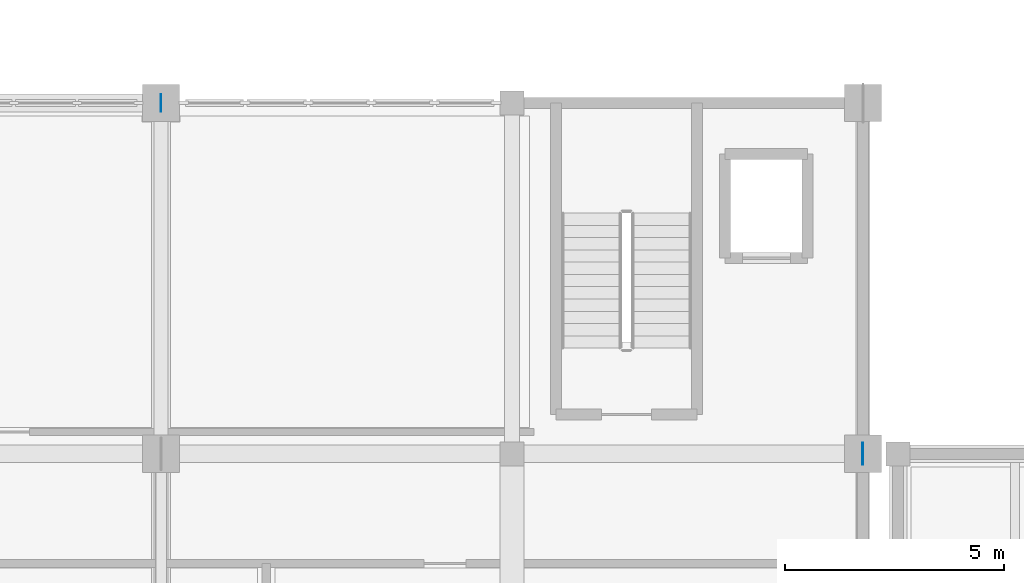
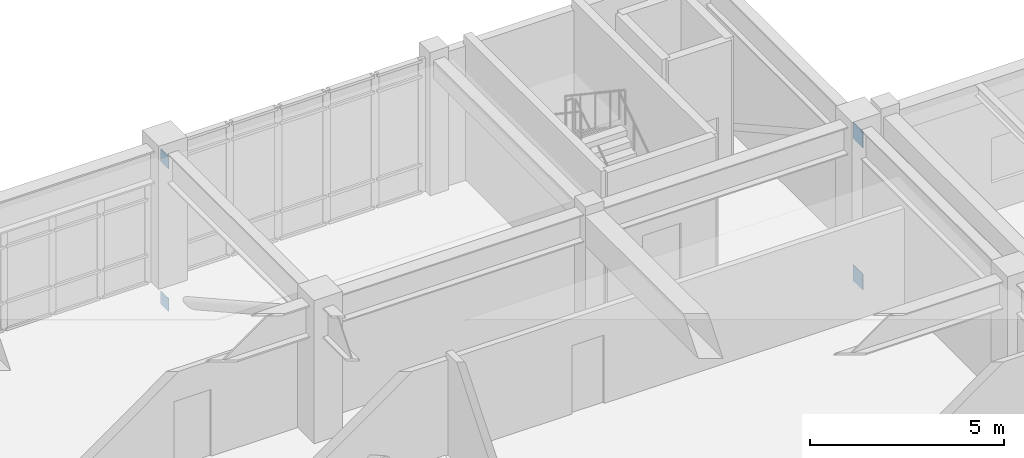
# One storey, part 49 of 79: 4 plates.
"""IFC4 building model written with IfcOpenShell, lengths in metres."""

from ifc_helpers import new_model, si_unit, direction, frame, origin, origin_2d, place, context, subcontext, project, spatial, rectangle, extrude, material, layer, layer_set, type_object, element, save


model = new_model("IFC4")

# Units and contexts
model_context = context("Model", 3, precision=1e-05, world=origin(), true_north=direction((0.0, 1.0)))
body_context = subcontext(model_context, "Body", "Model", "MODEL_VIEW")
ifc_project = project(units=[si_unit("LENGTHUNIT", "METRE"), si_unit("AREAUNIT", "SQUARE_METRE"), si_unit("VOLUMEUNIT", "CUBIC_METRE"), si_unit("PLANEANGLEUNIT", "RADIAN"), si_unit("MASSUNIT", "GRAM", prefix="KILO")], contexts=[model_context])

# Site, building, storey
site_placement = place(None, origin())
site = spatial("IfcSite", under=ifc_project, at=site_placement, CompositionType="ELEMENT")
building_placement = place(site_placement, origin())
building = spatial("IfcBuilding", under=site, at=building_placement, Name="Tlaxcora Railside Police Headquarters", CompositionType="ELEMENT")
storey_placement = place(building_placement, frame((0.0, 0.0, 9.0)))
storey = spatial("IfcBuildingStorey", under=building, at=storey_placement, Name="L02", CompositionType="ELEMENT", Elevation=9.0)

# Plates
ifc_material = material(Name="Steel ASTM A992 Grade 50", Category="steel")
ifc_layer_1 = layer(ifc_material, 0.02197265625, Name="Steel ASTM A992 Grade 50")
ifc_layer_set_1 = layer_set([ifc_layer_1], Name="Steel ASTM A992 Grade 50")
plate_type_1 = type_object("IfcPlateType", Name="Structural Gusset or Cap Plate GP-24", PredefinedType="USERDEFINED", material=ifc_layer_set_1)
for number, where, z_axis, x_axis, name in (
    (1, (102.0, 52.0, 3.449951171875), (0.0, 0.0, 1.0), (0.0, 1.0, 0.0), "Truss gusset plate KN-4-1"),
    (2, (102.0, 52.0, -1.02001953125), (0.0, 0.0, 1.0), (0.0, 1.0, 0.0), "Truss bottom-chord gusset plate KNB-4-1"),
):
    element("IfcPlate", number, at=place(storey_placement, frame(where, z_axis=z_axis, x_axis=x_axis)), inside=storey, type_object=plate_type_1, Name=name, ObjectType="GUSSET PLATE", PredefinedType="USERDEFINED", context=body_context, shape_type="SweptSolid", body=[
        extrude(rectangle(XDim=0.5, YDim=0.02197265625, at=origin_2d()), origin(), (0.0, 0.0, 1.0), 0.5),
    ])
ifc_layer_2 = layer(ifc_material, 0.02001953125, Name="Steel ASTM A992 Grade 50")
ifc_layer_set_2 = layer_set([ifc_layer_2], Name="Steel ASTM A992 Grade 50")
plate_type_2 = type_object("IfcPlateType", Name="Structural Gusset or Cap Plate GP-37", PredefinedType="USERDEFINED", material=ifc_layer_set_2)
for number, where, z_axis, x_axis, name in (
    (3, (86.0, 60.0, 3.5), (0.0, 0.0, 1.0), (0.0, 1.0, 0.0), "Truss gusset plate KN-3-0"),
    (4, (86.0, 60.0, -0.969970703125), (0.0, 0.0, 1.0), (0.0, 1.0, 0.0), "Truss bottom-chord gusset plate KNB-3-0"),
):
    element("IfcPlate", number, at=place(storey_placement, frame(where, z_axis=z_axis, x_axis=x_axis)), inside=storey, type_object=plate_type_2, Name=name, ObjectType="GUSSET PLATE", PredefinedType="USERDEFINED", context=body_context, shape_type="SweptSolid", body=[
        extrude(rectangle(XDim=0.39990234375, YDim=0.02001953125, at=origin_2d()), origin(), (0.0, 0.0, 1.0), 0.39990234375),
    ])

save(model, "model.ifc")
